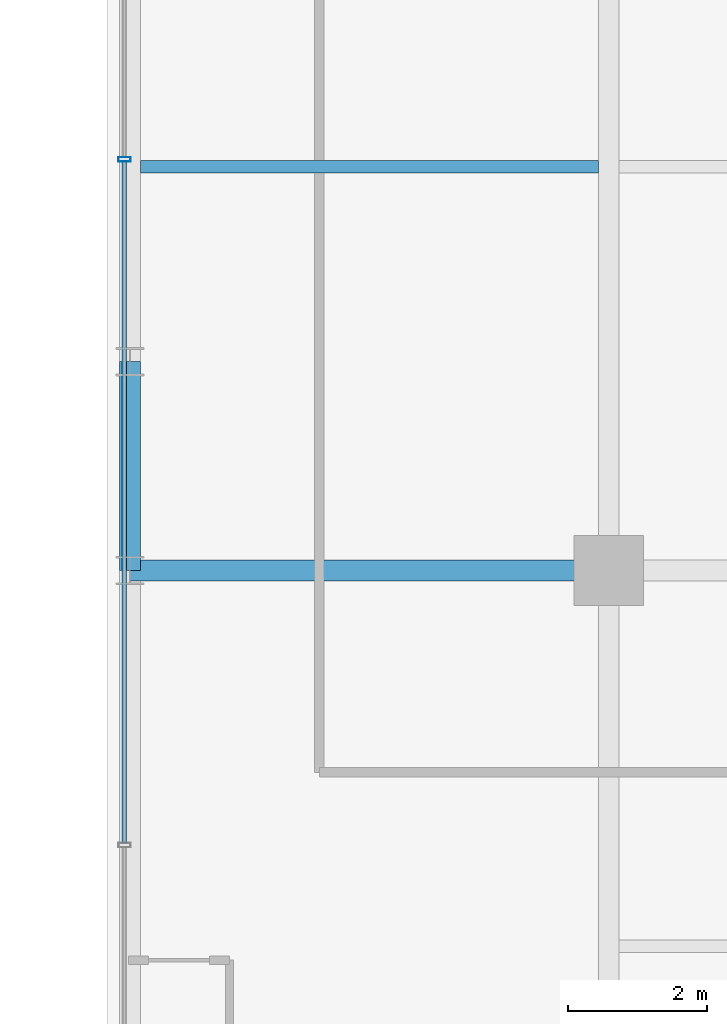
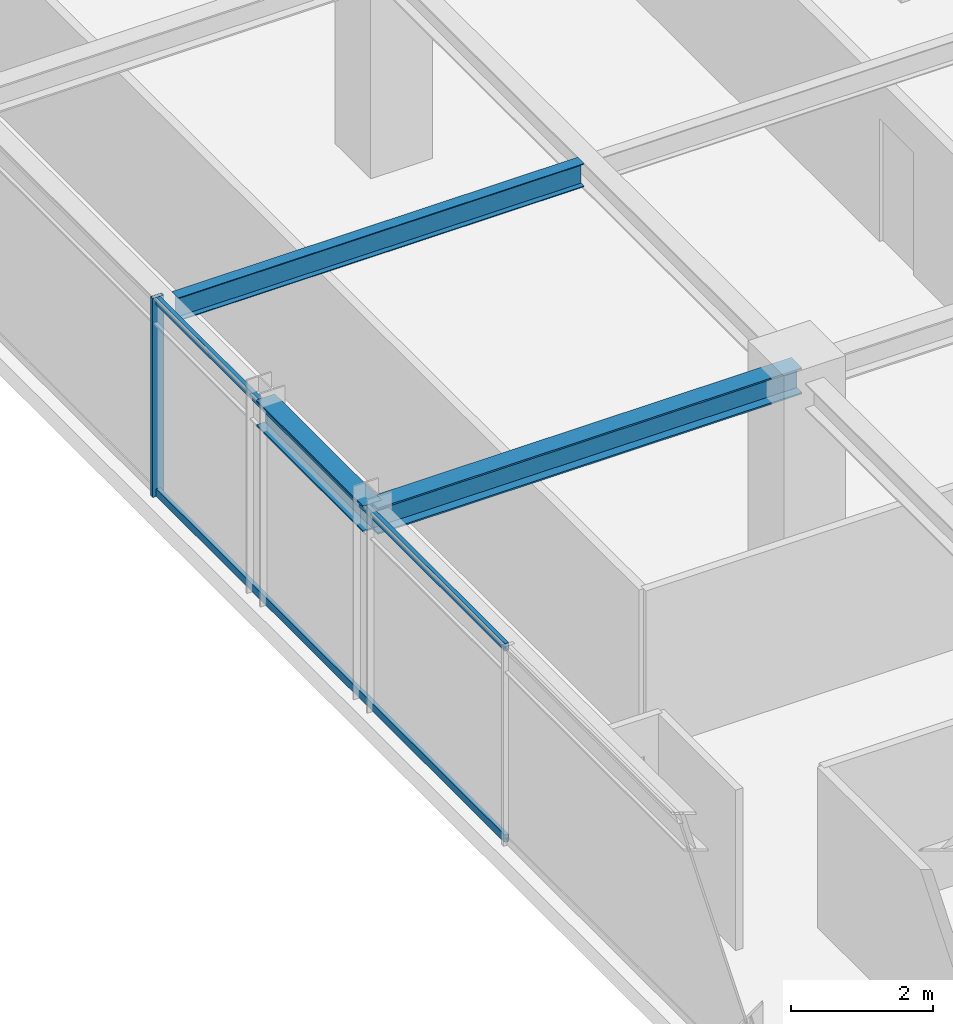
# One storey, part 18 of 35: 3 beams, 3 members, 1 element without a shape of its own.
"""IFC4 building model written with IfcOpenShell, lengths in metres."""

from ifc_helpers import new_model, si_unit, direction, frame, origin, origin_2d, place, context, subcontext, project, spatial, hollow_rectangle, i_section, extrude, source, transform, mapped, material, material_profile, profile_set, type_object, element, aggregate, save


model = new_model("IFC4")

# Units and contexts
model_context = context("Model", 3, precision=1e-05, world=origin(), true_north=direction((0.0, 1.0)))
body_context = subcontext(model_context, "Body", "Model", "MODEL_VIEW")
ifc_project = project(units=[si_unit("LENGTHUNIT", "METRE"), si_unit("AREAUNIT", "SQUARE_METRE"), si_unit("VOLUMEUNIT", "CUBIC_METRE"), si_unit("PLANEANGLEUNIT", "RADIAN"), si_unit("MASSUNIT", "GRAM", prefix="KILO")], contexts=[model_context])

# Site, building, storey
site_placement = place(None, origin())
site = spatial("IfcSite", under=ifc_project, at=site_placement, CompositionType="ELEMENT")
building_placement = place(site_placement, origin())
building = spatial("IfcBuilding", under=site, at=building_placement, Name="Nahalor Promenade Grand Hotel", CompositionType="ELEMENT")
storey_placement = place(building_placement, frame((0.0, 0.0, 216.0)))
storey = spatial("IfcBuildingStorey", under=building, at=storey_placement, Name="L55", CompositionType="ELEMENT", Elevation=216.0)

# Beams
ifc_material_1 = material(Name="Steel S355JR", Category="steel")
ifc_material_profile_1 = material_profile(ifc_material_1, i_section(OverallWidth=0.3, OverallDepth=0.45, WebThickness=0.014, FlangeThickness=0.026, at=origin_2d()), Name="HEB 450")
ifc_profile_set_1 = profile_set([ifc_material_profile_1], Name="Steel S355JR")
beam_type_1 = type_object("IfcBeamType", Name="Beam-Spandrel-HEB450", PredefinedType="SPANDREL", material=ifc_profile_set_1)
shared_shape_1 = source(origin(), body_context, "Body", "SweptSolid", [
    extrude(i_section(OverallWidth=0.3, OverallDepth=0.45, WebThickness=0.014, FlangeThickness=0.026, at=origin_2d()), origin(), (0.0, 0.0, 1.0), 3.0),
])
beam_1_placement = place(storey_placement, frame((-23.8798828125, 5.39990234375, 3.18505859375), z_axis=(0.0, 1.0, 0.0), x_axis=(-1.0, 0.0, 0.0)))
element("IfcBeam", 1, at=beam_1_placement, inside=storey, type_object=beam_type_1, Name="BM-L55-SP-W-3", PredefinedType="SPANDREL", context=body_context, shape_type="MappedRepresentation", body=[
    mapped(shared_shape_1, transform((0.0, 0.0, 0.0), scale=1.0)),
])
ifc_material_profile_2 = material_profile(ifc_material_1, i_section(OverallWidth=0.3, OverallDepth=0.45, WebThickness=0.014, FlangeThickness=0.026, at=origin_2d()), Name="HEB 450")
ifc_profile_set_2 = profile_set([ifc_material_profile_2], Name="Steel S355JR")
beam_type_2 = type_object("IfcBeamType", Name="Beam-Girder-HEB450", PredefinedType="BEAM", material=ifc_profile_set_2)
shared_shape_2 = source(origin(), body_context, "Body", "SweptSolid", [
    extrude(i_section(OverallWidth=0.3, OverallDepth=0.45, WebThickness=0.014, FlangeThickness=0.026, at=origin_2d()), origin(), (0.0, 0.0, 1.0), 6.8798828125),
])
beam_2_placement = place(storey_placement, frame((-23.8798828125, 5.39990234375, 3.18505859375), z_axis=(1.0, 0.0, 0.0), x_axis=(0.0, 1.0, 0.0)))
element("IfcBeam", 2, at=beam_2_placement, inside=storey, type_object=beam_type_2, Name="BM-L55-GX-2-0", PredefinedType="BEAM", context=body_context, shape_type="MappedRepresentation", body=[
    mapped(shared_shape_2, transform((0.0, 0.0, 0.0), scale=1.0)),
])
ifc_material_profile_3 = material_profile(ifc_material_1, i_section(OverallWidth=0.18, OverallDepth=0.4, WebThickness=0.0086, FlangeThickness=0.0135, at=origin_2d()), Name="IPE 400")
ifc_profile_set_3 = profile_set([ifc_material_profile_3], Name="Steel S355JR")
beam_type_3 = type_object("IfcBeamType", Name="Beam-Joist-IPE400", PredefinedType="JOIST", material=ifc_profile_set_3)
shared_shape_3 = source(origin(), body_context, "Body", "SweptSolid", [
    extrude(i_section(OverallWidth=0.18, OverallDepth=0.4, WebThickness=0.0086, FlangeThickness=0.0135, at=origin_2d()), origin(), (0.0, 0.0, 1.0), 6.580078125),
])
beam_3_placement = place(storey_placement, frame((-23.72998046875, 11.199951171875, 3.2099609375), z_axis=(1.0, 0.0, 0.0), x_axis=(0.0, 1.0, 0.0)))
element("IfcBeam", 3, at=beam_3_placement, inside=storey, type_object=beam_type_3, Name="BM-L55-JSW-1-0", PredefinedType="JOIST", context=body_context, shape_type="MappedRepresentation", body=[
    mapped(shared_shape_3, transform((0.0, 0.0, 0.0), scale=1.0)),
])

# Curtain wall, members
ifc_material_2 = material(Name="Anodised Bronze Aluminium EN AW-6063 T6", Category="aluminium")
curtain_wall_type = type_object("IfcCurtainWallType", Name="CW2 Typical Hotel Flush Bronze Unitised Curtain Wall", PredefinedType="USERDEFINED", material=ifc_material_2)
curtain_wall_placement = place(storey_placement, origin())
curtain_wall = element("IfcCurtainWall", 4, at=curtain_wall_placement, inside=storey, type_object=curtain_wall_type, Name="L55 Curtain Wall CW-L55-W-3", ObjectType="UNITISED_CURTAIN_WALL", PredefinedType="USERDEFINED")
ifc_material_profile_4 = material_profile(ifc_material_2, hollow_rectangle(XDim=0.065, YDim=0.13, WallThickness=0.004, at=origin_2d()), Name="CWT 65x130x4")
ifc_profile_set_4 = profile_set([ifc_material_profile_4], Name="Anodised Bronze Aluminium EN AW-6063 T6")
member_type_1 = type_object("IfcMemberType", Name="CWT2 Typical Bronze Transom 65x130", PredefinedType="USERDEFINED", material=ifc_profile_set_4)
shared_shape_4 = source(origin(), body_context, "Body", "SweptSolid", [
    extrude(hollow_rectangle(XDim=0.065, YDim=0.13, WallThickness=0.004, at=origin_2d()), origin(), (0.0, 0.0, 1.0), 9.788330078125),
])
member_1_placement = place(storey_placement, frame((-23.9599609375, 1.48583984375, 0.06494140625), z_axis=(0.0, 1.0, 0.0), x_axis=(-1.0, 0.0, 0.0)))
member_1 = element("IfcMember", 5, at=member_1_placement, type_object=member_type_1, Name="CW-L55-W-3 Transom 1-0", ObjectType="TRANSOM", PredefinedType="USERDEFINED", context=body_context, shape_type="MappedRepresentation", body=[
    mapped(shared_shape_4, transform((0.0, 0.0, 0.0), scale=1.0)),
])
member_2_placement = place(storey_placement, frame((-23.9599609375, 1.48583984375, 3.344970703125), z_axis=(0.0, 1.0, 0.0), x_axis=(-1.0, 0.0, 0.0)))
member_2 = element("IfcMember", 6, at=member_2_placement, type_object=member_type_1, Name="CW-L55-W-3 Transom 1-1", ObjectType="TRANSOM", PredefinedType="USERDEFINED", context=body_context, shape_type="MappedRepresentation", body=[
    mapped(shared_shape_4, transform((0.0, 0.0, 0.0), scale=1.0)),
])
ifc_material_profile_5 = material_profile(ifc_material_2, hollow_rectangle(XDim=0.065, YDim=0.18, WallThickness=0.004, at=origin_2d()), Name="CWM 65x180x4")
ifc_profile_set_5 = profile_set([ifc_material_profile_5], Name="Anodised Bronze Aluminium EN AW-6063 T6")
member_type_2 = type_object("IfcMemberType", Name="CWM2 Typical Bronze Mullion 65x180", PredefinedType="MULLION", material=ifc_profile_set_5)
shared_shape_5 = source(origin(), body_context, "Body", "SweptSolid", [
    extrude(hollow_rectangle(XDim=0.065, YDim=0.18, WallThickness=0.004, at=origin_2d()), origin(), (0.0, 0.0, 1.0), 3.409912109375),
])
member_3_placement = place(storey_placement, frame((-23.9599609375, 11.306640625, 0.0), z_axis=(0.0, 0.0, 1.0), x_axis=(0.0, 1.0, 0.0)))
member_3 = element("IfcMember", 7, at=member_3_placement, type_object=member_type_2, Name="CW-L55-W-3 Mullion 2", PredefinedType="MULLION", context=body_context, shape_type="MappedRepresentation", body=[
    mapped(shared_shape_5, transform((0.0, 0.0, 0.0), scale=1.0)),
])
aggregate(curtain_wall, [member_3, member_1, member_2])

save(model, "model.ifc")
